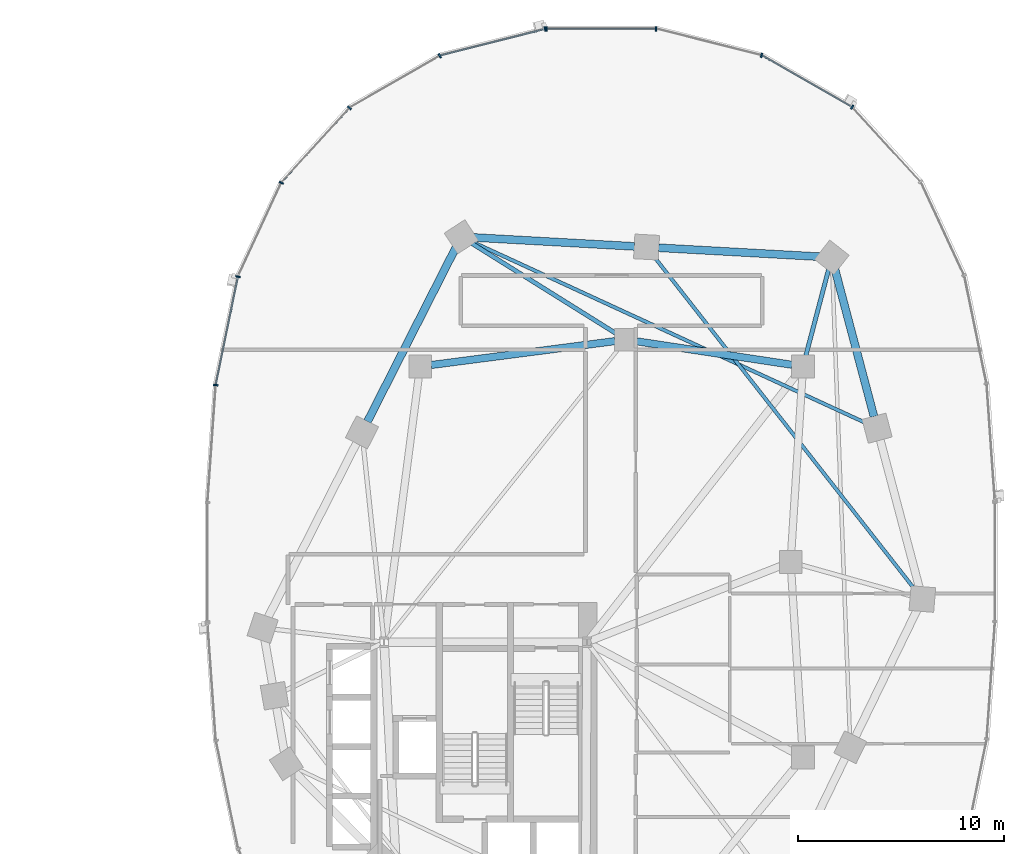
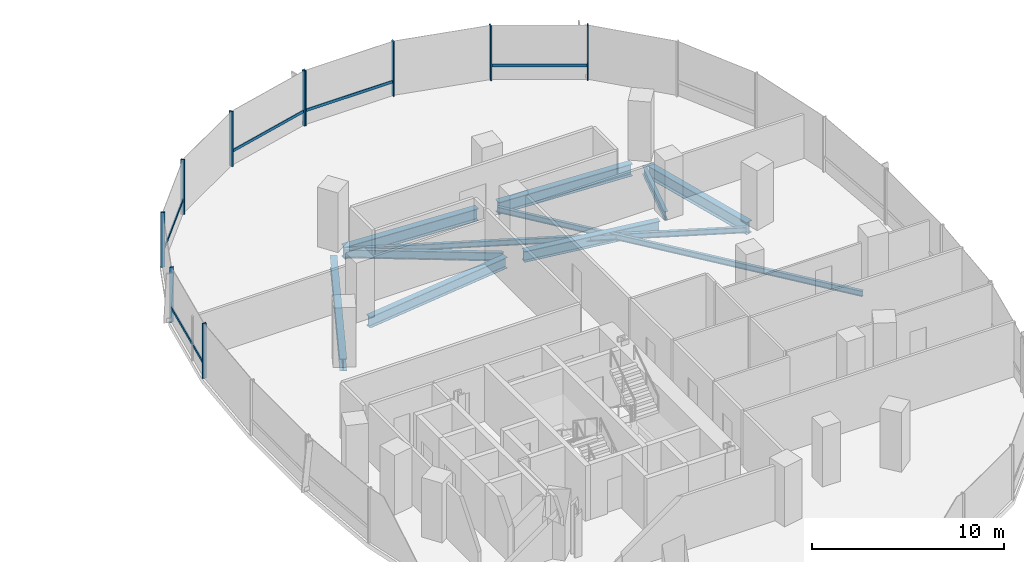
# One storey, part 7 of 21: 15 members, 10 beams, 2 elements without a shape of their own.
"""IFC4 building model written with IfcOpenShell, lengths in metres."""

from ifc_helpers import new_model, si_unit, direction, frame, origin, origin_2d, place, context, subcontext, project, spatial, rectangle, i_section, extrude, material, material_profile, profile_set, type_object, element, aggregate, save


model = new_model("IFC4")

# Units and contexts
model_context = context("Model", 3, precision=1e-05, world=origin(), true_north=direction((0.0, 1.0)))
body_context = subcontext(model_context, "Body", "Model", "MODEL_VIEW")
ifc_project = project(units=[si_unit("LENGTHUNIT", "METRE"), si_unit("AREAUNIT", "SQUARE_METRE"), si_unit("VOLUMEUNIT", "CUBIC_METRE"), si_unit("PLANEANGLEUNIT", "RADIAN"), si_unit("MASSUNIT", "GRAM", prefix="KILO"), si_unit("THERMODYNAMICTEMPERATUREUNIT", "KELVIN"), si_unit("POWERUNIT", "WATT")], contexts=[model_context])

# Site, building, storey
site_placement = place(None, origin())
site = spatial("IfcSite", under=ifc_project, at=site_placement, CompositionType="ELEMENT")
building_placement = place(site_placement, origin())
building = spatial("IfcBuilding", under=site, at=building_placement, Name="Cundina Bronze Exchange", CompositionType="ELEMENT")
storey_placement = place(building_placement, frame((0.0, 0.0, 54.39990234375)))
storey = spatial("IfcBuildingStorey", under=building, at=storey_placement, Name="L13", CompositionType="ELEMENT", Elevation=54.39990234375)

# Beams
ifc_material_1 = material(Name="Steel ASTM A992 Grade 50", Category="steel")
ifc_material_profile_1 = material_profile(ifc_material_1, i_section(OverallWidth=0.2099609375, OverallDepth=0.532958984375, WebThickness=0.01025390625, FlangeThickness=0.015625, FilletRadius=0.013916015625, at=origin_2d()), Name="W21X62", Category="steel")
ifc_profile_set_1 = profile_set([ifc_material_profile_1], Name="Steel ASTM A992 Grade 50")
beam_type_1 = type_object("IfcBeamType", Name="BM-FLR-W21B", PredefinedType="BEAM", material=ifc_profile_set_1)
beam_1_placement = place(storey_placement, frame((41.9375, 10.020263671875, -0.56640625), z_axis=(0.255373327887, 0.966842522546, 0.0), x_axis=(-0.966842522546, 0.255373327887, 0.0)))
element("IfcBeam", 1, at=beam_1_placement, inside=storey, type_object=beam_type_1, Name="L13 Leg E Chordal Floor Beam 10", PredefinedType="BEAM", context=body_context, shape_type="SweptSolid", body=[
    extrude(i_section(OverallWidth=0.2099609375, OverallDepth=0.532958984375, WebThickness=0.01025390625, FlangeThickness=0.015625, FilletRadius=0.013916015625, at=origin_2d()), origin(), (0.0, 0.0, 1.0), 4.355712890625),
])
beam_2_placement = place(storey_placement, frame((32.743896484375, 11.085205078125, -0.56640625), z_axis=(-0.848014812458, 0.529972525563, 0.0), x_axis=(-0.529972525563, -0.848014812458, 0.0)))
element("IfcBeam", 2, at=beam_2_placement, inside=storey, type_object=beam_type_1, Name="L13 Leg E Chordal Floor Beam 12", PredefinedType="BEAM", context=body_context, shape_type="SweptSolid", body=[
    extrude(i_section(OverallWidth=0.2099609375, OverallDepth=0.532958984375, WebThickness=0.01025390625, FlangeThickness=0.015625, FilletRadius=0.013916015625, at=origin_2d()), origin(), (0.0, 0.0, 1.0), 8.30810546875),
])
ifc_material_profile_2 = material_profile(ifc_material_1, i_section(OverallWidth=0.172119140625, OverallDepth=0.35791015625, WebThickness=0.0078125, FlangeThickness=0.01318359375, FilletRadius=0.010009765625, at=origin_2d()), Name="W14X38", Category="steel")
ifc_profile_set_2 = profile_set([ifc_material_profile_2], Name="Steel ASTM A992 Grade 50")
beam_type_2 = type_object("IfcBeamType", Name="BM-JST-W14", PredefinedType="JOIST", material=ifc_profile_set_2)
beam_3_placement = place(storey_placement, frame((47.2373046875, -1.337158203125, -0.47900390625), z_axis=(-0.616803089524, 0.787117493614, 0.0), x_axis=(-0.787117493614, -0.616803089524, 0.0)))
element("IfcBeam", 3, at=beam_3_placement, inside=storey, type_object=beam_type_2, Name="L13 Leg E Lobe Floor Joist 08-11", PredefinedType="JOIST", context=body_context, shape_type="SweptSolid", body=[
    extrude(i_section(OverallWidth=0.172119140625, OverallDepth=0.35791015625, WebThickness=0.0078125, FlangeThickness=0.01318359375, FilletRadius=0.010009765625, at=origin_2d()), origin(), (0.0, 0.0, 1.0), 20.548828125),
])
beam_4_placement = place(storey_placement, frame((44.865966796875, 6.745849609375, -0.47900390625), z_axis=(-0.908351511887, 0.418207521277, 0.0), x_axis=(-0.418207521277, -0.908351511887, 0.0)))
element("IfcBeam", 4, at=beam_4_placement, inside=storey, type_object=beam_type_2, Name="L13 Leg E Lobe Floor Joist 09-12", PredefinedType="JOIST", context=body_context, shape_type="SweptSolid", body=[
    extrude(i_section(OverallWidth=0.172119140625, OverallDepth=0.35791015625, WebThickness=0.0078125, FlangeThickness=0.01318359375, FilletRadius=0.010009765625, at=origin_2d()), origin(), (0.0, 0.0, 1.0), 21.062255859375),
])
ifc_material_profile_3 = material_profile(ifc_material_1, i_section(OverallWidth=0.35498046875, OverallDepth=0.695068359375, WebThickness=0.015380859375, FlangeThickness=0.02490234375, FilletRadius=0.01806640625, at=origin_2d()), Name="W27X146", Category="steel")
ifc_profile_set_3 = profile_set([ifc_material_profile_3], Name="Steel ASTM A992 Grade 50")
beam_type_3 = type_object("IfcBeamType", Name="BM-RING-W27", PredefinedType="USERDEFINED", material=ifc_profile_set_3)
beam_5_placement = place(storey_placement, frame((41.26806640625, 9.580322265625, -0.6474609375), z_axis=(-0.988767489563, 0.149461873341, 0.0), x_axis=(-0.149461873341, -0.988767489563, 0.0)))
element("IfcBeam", 5, at=beam_5_placement, inside=storey, type_object=beam_type_3, Name="L13 E Inner Structural Ring Girder 05", ObjectType="GIRDER", PredefinedType="USERDEFINED", context=body_context, shape_type="SweptSolid", body=[
    extrude(i_section(OverallWidth=0.35498046875, OverallDepth=0.695068359375, WebThickness=0.015380859375, FlangeThickness=0.02490234375, FilletRadius=0.01806640625, at=origin_2d()), origin(), (0.0, 0.0, 1.0), 7.621826171875),
])
beam_6_placement = place(storey_placement, frame((32.66650390625, 10.730712890625, -0.6474609375), z_axis=(-0.991654577907, -0.128923225666, 0.0), x_axis=(0.128923225666, -0.991654577907, 0.0)))
element("IfcBeam", 6, at=beam_6_placement, inside=storey, type_object=beam_type_3, Name="L13 E Inner Structural Ring Girder 06", ObjectType="GIRDER", PredefinedType="USERDEFINED", context=body_context, shape_type="SweptSolid", body=[
    extrude(i_section(OverallWidth=0.35498046875, OverallDepth=0.695068359375, WebThickness=0.015380859375, FlangeThickness=0.02490234375, FilletRadius=0.01806640625, at=origin_2d()), origin(), (0.0, 0.0, 1.0), 9.00830078125),
])
ifc_material_profile_4 = material_profile(ifc_material_1, i_section(OverallWidth=0.381103515625, OverallDepth=0.77294921875, WebThickness=0.0166015625, FlangeThickness=0.027099609375, FilletRadius=0.01904296875, at=origin_2d()), Name="W30X173", Category="steel")
ifc_profile_set_4 = profile_set([ifc_material_profile_4], Name="Steel ASTM A992 Grade 50")
beam_type_4 = type_object("IfcBeamType", Name="BM-RING-W30", PredefinedType="USERDEFINED", material=ifc_profile_set_4)
beam_7_placement = place(storey_placement, frame((45.249267578125, 7.068359375, -0.6865234375), z_axis=(-0.256208567826, 0.966621523541, 0.0), x_axis=(-0.966621523541, -0.256208567826, 0.0)))
element("IfcBeam", 7, at=beam_7_placement, inside=storey, type_object=beam_type_4, Name="L13 E Perimeter Ring Girder 09", ObjectType="GIRDER", PredefinedType="USERDEFINED", context=body_context, shape_type="SweptSolid", body=[
    extrude(i_section(OverallWidth=0.381103515625, OverallDepth=0.77294921875, WebThickness=0.0166015625, FlangeThickness=0.027099609375, FilletRadius=0.01904296875, at=origin_2d()), origin(), (0.0, 0.0, 1.0), 7.41064453125),
])
for number, where, z_axis, x_axis, name in (
    (8, (42.61279296875, 14.83251953125, -0.6865234375), (-0.998459969805, 0.055476920391, 0.0), (-0.055476920391, -0.998459969805, 0.0), "L13 E Perimeter Ring Girder 10"),
    (9, (33.61279296875, 15.33251953125, -0.6865234375), (-0.998459969805, 0.055476920391, 0.0), (-0.055476920391, -0.998459969805, 0.0), "L13 E Perimeter Ring Girder 11"),
):
    element("IfcBeam", number, at=place(storey_placement, frame(where, z_axis=z_axis, x_axis=x_axis)), inside=storey, type_object=beam_type_4, Name=name, ObjectType="GIRDER", PredefinedType="USERDEFINED", context=body_context, shape_type="SweptSolid", body=[
        extrude(i_section(OverallWidth=0.381103515625, OverallDepth=0.77294921875, WebThickness=0.0166015625, FlangeThickness=0.027099609375, FilletRadius=0.01904296875, at=origin_2d()), origin(), (0.0, 0.0, 1.0), 7.837646484375),
    ])
beam_8_placement = place(storey_placement, frame((24.93359375, 15.275634765625, -0.6865234375), z_axis=(-0.452819633606, -0.891602141889, 0.0), x_axis=(0.891602141889, -0.452819633606, 0.0)))
element("IfcBeam", 10, at=beam_8_placement, inside=storey, type_object=beam_type_4, Name="L13 E Perimeter Ring Girder 12", ObjectType="GIRDER", PredefinedType="USERDEFINED", context=body_context, shape_type="SweptSolid", body=[
    extrude(i_section(OverallWidth=0.381103515625, OverallDepth=0.77294921875, WebThickness=0.0166015625, FlangeThickness=0.027099609375, FilletRadius=0.01904296875, at=origin_2d()), origin(), (0.0, 0.0, 1.0), 9.47900390625),
])

# Curtain wall, members
ifc_material_2 = material(Name="Anodised Bronze Aluminium 6063-T6", Category="aluminium")
curtain_wall_type = type_object("IfcCurtainWallType", Name="CWS-TRD-LOW", PredefinedType="NOTDEFINED", material=ifc_material_2)
curtain_wall_1_placement = place(storey_placement, origin())
curtain_wall_1 = element("IfcCurtainWall", 11, at=curtain_wall_1_placement, inside=storey, type_object=curtain_wall_type, Name="L13 CW-02 Curtain Wall Run CWR-L13-E1", PredefinedType="NOTDEFINED")
ifc_material_profile_5 = material_profile(ifc_material_2, rectangle(XDim=0.074951171875, YDim=0.219970703125, at=origin_2d()), Name="AL75X220", Category="aluminium")
ifc_profile_set_5 = profile_set([ifc_material_profile_5], Name="Anodised Bronze Aluminium 6063-T6")
member_type_1 = type_object("IfcMemberType", Name="CWM-MUL-220", PredefinedType="MULLION", material=ifc_profile_set_5)
member_1_placement = place(storey_placement, frame((44.189697265625, 22.097412109375, 0.0), z_axis=(0.0, 0.0, 1.0), x_axis=(-0.867070701164, 0.498185105339, 0.0)))
member_1 = element("IfcMember", 12, at=member_1_placement, type_object=member_type_1, Name="CW-02 Mullion 5", PredefinedType="MULLION", context=body_context, shape_type="SweptSolid", body=[
    extrude(rectangle(XDim=0.074951171875, YDim=0.219970703125, at=origin_2d()), origin(), (0.0, 0.0, 1.0), 3.5),
])
member_2_placement = place(storey_placement, frame((39.78515625, 24.61669921875, 0.0), z_axis=(0.0, 0.0, 1.0), x_axis=(-0.969488149345, 0.245138182011, 0.0)))
member_2 = element("IfcMember", 13, at=member_2_placement, type_object=member_type_1, Name="CW-02 Mullion 6", PredefinedType="MULLION", context=body_context, shape_type="SweptSolid", body=[
    extrude(rectangle(XDim=0.074951171875, YDim=0.219970703125, at=origin_2d()), origin(), (0.0, 0.0, 1.0), 3.5),
])
member_3_placement = place(storey_placement, frame((34.654541015625, 25.905029296875, 0.0), z_axis=(0.0, 0.0, 1.0), x_axis=(-1.0, 0.0, 0.0)))
member_3 = element("IfcMember", 14, at=member_3_placement, type_object=member_type_1, Name="CW-02 Mullion 7", PredefinedType="MULLION", context=body_context, shape_type="SweptSolid", body=[
    extrude(rectangle(XDim=0.074951171875, YDim=0.219970703125, at=origin_2d()), origin(), (0.0, 0.0, 1.0), 3.5),
])
member_4_placement = place(storey_placement, frame((29.345458984375, 25.905029296875, 0.0), z_axis=(0.0, 0.0, 1.0), x_axis=(-1.0, 0.0, 0.0)))
member_4 = element("IfcMember", 15, at=member_4_placement, type_object=member_type_1, Name="CW-02 End Mullion", PredefinedType="MULLION", context=body_context, shape_type="SweptSolid", body=[
    extrude(rectangle(XDim=0.074951171875, YDim=0.219970703125, at=origin_2d()), origin(), (0.0, 0.0, 1.0), 3.5),
])

curtain_wall_2_placement = place(storey_placement, origin())
curtain_wall_2 = element("IfcCurtainWall", 16, at=curtain_wall_2_placement, inside=storey, type_object=curtain_wall_type, Name="L13 CW-02 Curtain Wall Run CWR-L13-E2", PredefinedType="NOTDEFINED")
member_5_placement = place(storey_placement, frame((29.27392578125, 25.89599609375, 0.0), z_axis=(0.0, 0.0, 1.0), x_axis=(-0.969488149345, -0.245138182011, 0.0)))
member_5 = element("IfcMember", 17, at=member_5_placement, type_object=member_type_1, Name="CW-02 Mullion 1", PredefinedType="MULLION", context=body_context, shape_type="SweptSolid", body=[
    extrude(rectangle(XDim=0.074951171875, YDim=0.219970703125, at=origin_2d()), origin(), (0.0, 0.0, 1.0), 3.5),
])
member_6_placement = place(storey_placement, frame((24.151123046875, 24.591064453125, 0.0), z_axis=(0.0, 0.0, 1.0), x_axis=(-0.867070701164, -0.498185105339, 0.0)))
member_6 = element("IfcMember", 18, at=member_6_placement, type_object=member_type_1, Name="CW-02 Mullion 2", PredefinedType="MULLION", context=body_context, shape_type="SweptSolid", body=[
    extrude(rectangle(XDim=0.074951171875, YDim=0.219970703125, at=origin_2d()), origin(), (0.0, 0.0, 1.0), 3.5),
])
member_7_placement = place(storey_placement, frame((19.760498046875, 22.0576171875, 0.0), z_axis=(0.0, 0.0, 1.0), x_axis=(-0.674302387584, -0.738455340626, 0.0)))
member_7 = element("IfcMember", 19, at=member_7_placement, type_object=member_type_1, Name="CW-02 Mullion 3", PredefinedType="MULLION", context=body_context, shape_type="SweptSolid", body=[
    extrude(rectangle(XDim=0.074951171875, YDim=0.219970703125, at=origin_2d()), origin(), (0.0, 0.0, 1.0), 3.5),
])
member_8_placement = place(storey_placement, frame((16.455810546875, 18.423583984375, 0.0), z_axis=(0.0, 0.0, 1.0), x_axis=(-0.42087749791, -0.907117485088, 0.0)))
member_8 = element("IfcMember", 20, at=member_8_placement, type_object=member_type_1, Name="CW-02 Mullion 4", PredefinedType="MULLION", context=body_context, shape_type="SweptSolid", body=[
    extrude(rectangle(XDim=0.074951171875, YDim=0.219970703125, at=origin_2d()), origin(), (0.0, 0.0, 1.0), 3.5),
])
member_9_placement = place(storey_placement, frame((14.348876953125, 13.861328125, 0.0), z_axis=(0.0, 0.0, 1.0), x_axis=(-0.201419845156, -0.979505000486, 0.0)))
member_9 = element("IfcMember", 21, at=member_9_placement, type_object=member_type_1, Name="CW-02 Mullion 5", PredefinedType="MULLION", context=body_context, shape_type="SweptSolid", body=[
    extrude(rectangle(XDim=0.074951171875, YDim=0.219970703125, at=origin_2d()), origin(), (0.0, 0.0, 1.0), 3.5),
])
member_10_placement = place(storey_placement, frame((13.27099609375, 8.591552734375, 0.0), z_axis=(0.0, 0.0, 1.0), x_axis=(-0.070278787473, -0.997527389113, 0.0)))
member_10 = element("IfcMember", 22, at=member_10_placement, type_object=member_type_1, Name="CW-02 Mullion 6", PredefinedType="MULLION", context=body_context, shape_type="SweptSolid", body=[
    extrude(rectangle(XDim=0.074951171875, YDim=0.219970703125, at=origin_2d()), origin(), (0.0, 0.0, 1.0), 3.5),
])

# Member
ifc_material_profile_6 = material_profile(ifc_material_2, rectangle(XDim=0.070068359375, YDim=0.179931640625, at=origin_2d()), Name="AL70X180", Category="aluminium")
ifc_profile_set_6 = profile_set([ifc_material_profile_6], Name="Anodised Bronze Aluminium 6063-T6")
member_type_2 = type_object("IfcMemberType", Name="CWM-TRN-180", PredefinedType="USERDEFINED", material=ifc_profile_set_6)
member_11_placement = place(storey_placement, frame((44.154052734375, 22.117919921875, 0.920166015625), z_axis=(-0.867097475651, 0.498138502546, 0.0), x_axis=(-0.498138502546, -0.867097475651, 0.0)))
member_11 = element("IfcMember", 23, at=member_11_placement, type_object=member_type_2, Name="CW-02 Spandrel Transom 5", ObjectType="TRANSOM", PredefinedType="USERDEFINED", context=body_context, shape_type="SweptSolid", body=[
    extrude(rectangle(XDim=0.070068359375, YDim=0.179931640625, at=origin_2d()), origin(), (0.0, 0.0, 1.0), 5.00634765625),
])

member_12_placement = place(storey_placement, frame((34.61328125, 25.905029296875, 0.920166015625), z_axis=(-1.0, 0.0, 0.0), x_axis=(0.0, -1.0, 0.0)))
member_12 = element("IfcMember", 24, at=member_12_placement, type_object=member_type_2, Name="CW-02 Spandrel Transom 7", ObjectType="TRANSOM", PredefinedType="USERDEFINED", context=body_context, shape_type="SweptSolid", body=[
    extrude(rectangle(XDim=0.070068359375, YDim=0.179931640625, at=origin_2d()), origin(), (0.0, 0.0, 1.0), 5.2265625),
])

aggregate(curtain_wall_1, [member_1, member_11, member_2, member_3, member_4, member_12])

member_13_placement = place(storey_placement, frame((29.23388671875, 25.885986328125, 0.920166015625), z_axis=(-0.969483968866, -0.245154714644, 0.0), x_axis=(0.245154714644, -0.969483968866, 0.0)))
member_13 = element("IfcMember", 25, at=member_13_placement, type_object=member_type_2, Name="CW-02 Spandrel Transom 1", ObjectType="TRANSOM", PredefinedType="USERDEFINED", context=body_context, shape_type="SweptSolid", body=[
    extrude(rectangle(XDim=0.070068359375, YDim=0.179931640625, at=origin_2d()), origin(), (0.0, 0.0, 1.0), 5.21826171875),
])

member_14_placement = place(storey_placement, frame((19.73291015625, 22.027099609375, 0.920166015625), z_axis=(-0.674302794847, -0.738454968743, 0.0), x_axis=(0.738454968743, -0.674302794847, 0.0)))
member_14 = element("IfcMember", 26, at=member_14_placement, type_object=member_type_2, Name="CW-02 Spandrel Transom 3", ObjectType="TRANSOM", PredefinedType="USERDEFINED", context=body_context, shape_type="SweptSolid", body=[
    extrude(rectangle(XDim=0.070068359375, YDim=0.179931640625, at=origin_2d()), origin(), (0.0, 0.0, 1.0), 4.848388671875),
])

member_15_placement = place(storey_placement, frame((14.340576171875, 13.821044921875, 0.920166015625), z_axis=(-0.201427712708, -0.979503382615, 0.0), x_axis=(0.979503382615, -0.201427712708, 0.0)))
member_15 = element("IfcMember", 27, at=member_15_placement, type_object=member_type_2, Name="CW-02 Spandrel Transom 5", ObjectType="TRANSOM", PredefinedType="USERDEFINED", context=body_context, shape_type="SweptSolid", body=[
    extrude(rectangle(XDim=0.070068359375, YDim=0.179931640625, at=origin_2d()), origin(), (0.0, 0.0, 1.0), 5.291748046875),
])

aggregate(curtain_wall_2, [member_5, member_13, member_6, member_7, member_14, member_8, member_9, member_15, member_10])

save(model, "model.ifc")
